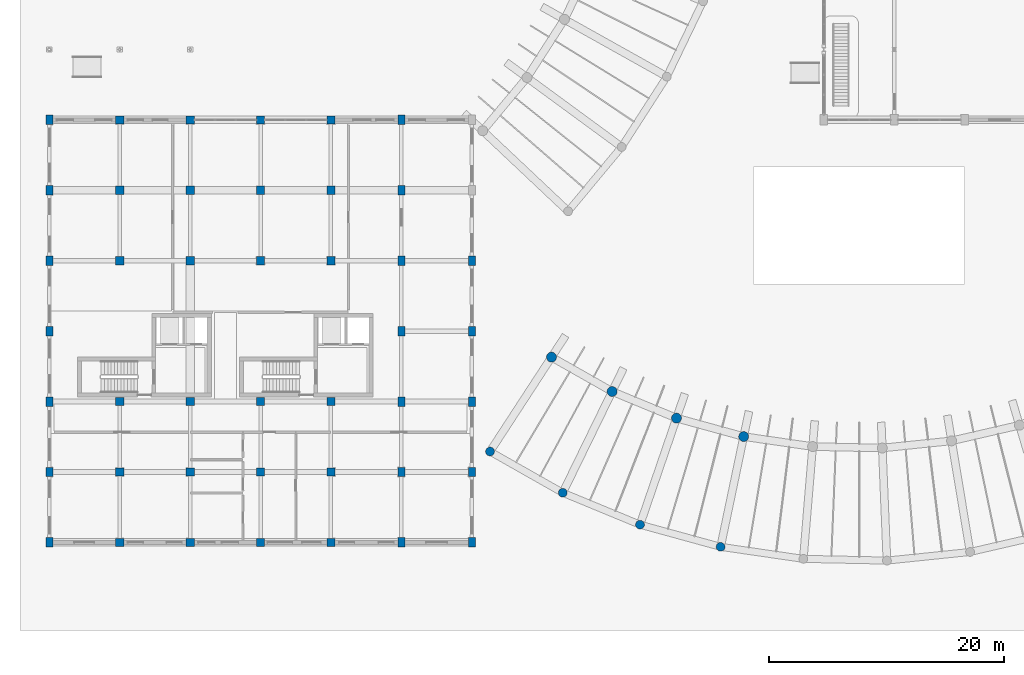
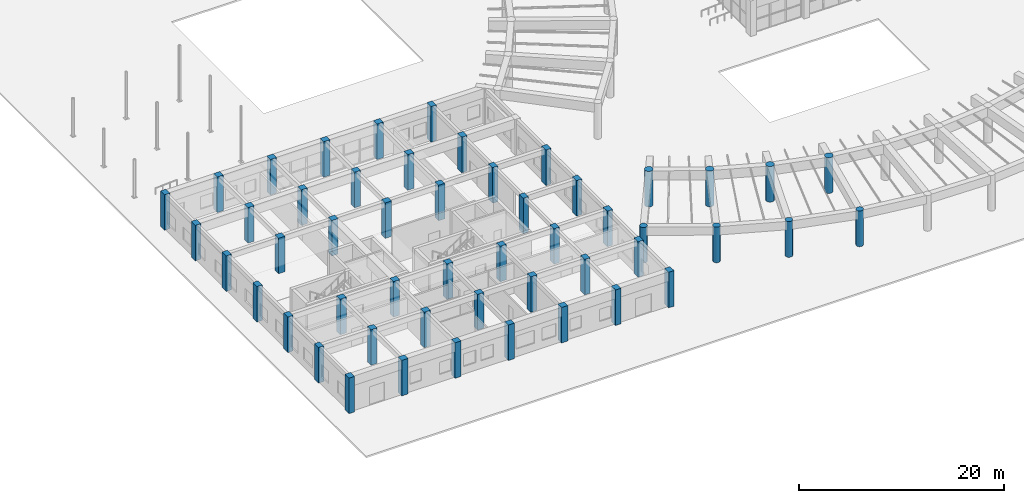
# One storey, part 1 of 76: 51 columns.
"""IFC4 building model written with IfcOpenShell, lengths in metres."""

from ifc_helpers import new_model, si_unit, direction, frame, origin, origin_2d, place, context, subcontext, project, spatial, rectangle, circle, extrude, material, material_profile, profile_set, type_object, element, save


model = new_model("IFC4")

# Units and contexts
model_context = context("Model", 3, precision=1e-05, world=origin(), true_north=direction((0.0, 1.0)))
body_context = subcontext(model_context, "Body", "Model", "MODEL_VIEW")
ifc_project = project(units=[si_unit("LENGTHUNIT", "METRE"), si_unit("AREAUNIT", "SQUARE_METRE"), si_unit("VOLUMEUNIT", "CUBIC_METRE"), si_unit("PLANEANGLEUNIT", "RADIAN"), si_unit("MASSUNIT", "GRAM", prefix="KILO"), si_unit("POWERUNIT", "WATT"), si_unit("THERMODYNAMICTEMPERATUREUNIT", "KELVIN")], contexts=[model_context])

# Site, building, storey
site_placement = place(None, origin())
site = spatial("IfcSite", under=ifc_project, at=site_placement, CompositionType="ELEMENT")
building_placement = place(site_placement, origin())
building = spatial("IfcBuilding", under=site, at=building_placement, Name="Ruvembo Vaulted Housing Court", CompositionType="ELEMENT")
storey_placement = place(building_placement, origin())
storey = spatial("IfcBuildingStorey", under=building, at=storey_placement, Name="L00", CompositionType="ELEMENT", Elevation=0.0)

# Columns
ifc_material = material(Name="Concrete C40/50", Category="concrete")
ifc_material_profile_1 = material_profile(ifc_material, rectangle(XDim=0.60009765625, YDim=0.800048828125, at=origin_2d()), Name="RC 600x800")
ifc_profile_set_1 = profile_set([ifc_material_profile_1], Name="Concrete C40/50")
column_type_1 = type_object("IfcColumnType", Name="COL-RC-600x800", PredefinedType="COLUMN", material=ifc_profile_set_1)
for number, where, z_axis, x_axis, name in (
    (1, (0.0, 6.0, 0.0), (0.0, 0.0, 1.0), (1.0, 0.0, 0.0), "L00 Column (0,6)"),
    (2, (0.0, 12.0, 0.0), (0.0, 0.0, 1.0), (1.0, 0.0, 0.0), "L00 Column (0,12)"),
    (3, (0.0, 18.0, 0.0), (0.0, 0.0, 1.0), (1.0, 0.0, 0.0), "L00 Column (0,18)"),
    (4, (0.0, 24.0, 0.0), (0.0, 0.0, 1.0), (1.0, 0.0, 0.0), "L00 Column (0,24)"),
    (5, (0.0, 30.0, 0.0), (0.0, 0.0, 1.0), (1.0, 0.0, 0.0), "L00 Column (0,30)"),
    (6, (0.0, 36.0, 0.0), (0.0, 0.0, 1.0), (1.0, 0.0, 0.0), "L00 Column (0,36)"),
    (7, (0.0, 42.0, 0.0), (0.0, 0.0, 1.0), (1.0, 0.0, 0.0), "L00 Column (0,42)"),
    (8, (30.0, 6.0, 0.0), (0.0, 0.0, 1.0), (1.0, 0.0, 0.0), "L00 Column (30,6)"),
    (9, (30.0, 12.0, 0.0), (0.0, 0.0, 1.0), (1.0, 0.0, 0.0), "L00 Column (30,12)"),
    (10, (30.0, 18.0, 0.0), (0.0, 0.0, 1.0), (1.0, 0.0, 0.0), "L00 Column (30,18)"),
    (11, (30.0, 24.0, 0.0), (0.0, 0.0, 1.0), (1.0, 0.0, 0.0), "L00 Column (30,24)"),
    (12, (30.0, 30.0, 0.0), (0.0, 0.0, 1.0), (1.0, 0.0, 0.0), "L00 Column (30,30)"),
    (13, (30.0, 36.0, 0.0), (0.0, 0.0, 1.0), (1.0, 0.0, 0.0), "L00 Column (30,36)"),
    (14, (30.0, 42.0, 0.0), (0.0, 0.0, 1.0), (1.0, 0.0, 0.0), "L00 Column (30,42)"),
    (15, (36.0, 6.0, 0.0), (0.0, 0.0, 1.0), (1.0, 0.0, 0.0), "L00 Column (36,6)"),
    (16, (36.0, 12.0, 0.0), (0.0, 0.0, 1.0), (1.0, 0.0, 0.0), "L00 Column (36,12)"),
    (17, (36.0, 18.0, 0.0), (0.0, 0.0, 1.0), (1.0, 0.0, 0.0), "L00 Column (36,18)"),
    (18, (36.0, 24.0, 0.0), (0.0, 0.0, 1.0), (1.0, 0.0, 0.0), "L00 Column (36,24)"),
    (19, (36.0, 30.0, 0.0), (0.0, 0.0, 1.0), (1.0, 0.0, 0.0), "L00 Column (36,30)"),
):
    element("IfcColumn", number, at=place(storey_placement, frame(where, z_axis=z_axis, x_axis=x_axis)), inside=storey, type_object=column_type_1, Name=name, PredefinedType="COLUMN", context=body_context, shape_type="SweptSolid", body=[
        extrude(rectangle(XDim=0.60009765625, YDim=0.800048828125, at=origin_2d()), origin(), (0.0, 0.0, 1.0), 4.22998046875),
    ])
ifc_material_profile_2 = material_profile(ifc_material, rectangle(XDim=0.699951171875, YDim=0.699951171875, at=origin_2d()), Name="RC 700x700")
ifc_profile_set_2 = profile_set([ifc_material_profile_2], Name="Concrete C40/50")
column_type_2 = type_object("IfcColumnType", Name="COL-RC-700", PredefinedType="COLUMN", material=ifc_profile_set_2)
for number, where, z_axis, x_axis, name in (
    (20, (6.0, 6.0, 0.0), (0.0, 0.0, 1.0), (1.0, 0.0, 0.0), "L00 Column (6,6)"),
    (21, (6.0, 12.0, 0.0), (0.0, 0.0, 1.0), (1.0, 0.0, 0.0), "L00 Column (6,12)"),
    (22, (6.0, 18.0, 0.0), (0.0, 0.0, 1.0), (1.0, 0.0, 0.0), "L00 Column (6,18)"),
    (23, (6.0, 30.0, 0.0), (0.0, 0.0, 1.0), (1.0, 0.0, 0.0), "L00 Column (6,30)"),
    (24, (6.0, 36.0, 0.0), (0.0, 0.0, 1.0), (1.0, 0.0, 0.0), "L00 Column (6,36)"),
    (25, (6.0, 42.0, 0.0), (0.0, 0.0, 1.0), (1.0, 0.0, 0.0), "L00 Column (6,42)"),
    (26, (12.0, 6.0, 0.0), (0.0, 0.0, 1.0), (1.0, 0.0, 0.0), "L00 Column (12,6)"),
    (27, (12.0, 12.0, 0.0), (0.0, 0.0, 1.0), (1.0, 0.0, 0.0), "L00 Column (12,12)"),
    (28, (12.0, 18.0, 0.0), (0.0, 0.0, 1.0), (1.0, 0.0, 0.0), "L00 Column (12,18)"),
    (29, (12.0, 30.0, 0.0), (0.0, 0.0, 1.0), (1.0, 0.0, 0.0), "L00 Column (12,30)"),
    (30, (12.0, 36.0, 0.0), (0.0, 0.0, 1.0), (1.0, 0.0, 0.0), "L00 Column (12,36)"),
    (31, (12.0, 42.0, 0.0), (0.0, 0.0, 1.0), (1.0, 0.0, 0.0), "L00 Column (12,42)"),
    (32, (18.0, 6.0, 0.0), (0.0, 0.0, 1.0), (1.0, 0.0, 0.0), "L00 Column (18,6)"),
    (33, (18.0, 12.0, 0.0), (0.0, 0.0, 1.0), (1.0, 0.0, 0.0), "L00 Column (18,12)"),
    (34, (18.0, 18.0, 0.0), (0.0, 0.0, 1.0), (1.0, 0.0, 0.0), "L00 Column (18,18)"),
    (35, (18.0, 30.0, 0.0), (0.0, 0.0, 1.0), (1.0, 0.0, 0.0), "L00 Column (18,30)"),
    (36, (18.0, 36.0, 0.0), (0.0, 0.0, 1.0), (1.0, 0.0, 0.0), "L00 Column (18,36)"),
    (37, (18.0, 42.0, 0.0), (0.0, 0.0, 1.0), (1.0, 0.0, 0.0), "L00 Column (18,42)"),
    (38, (24.0, 6.0, 0.0), (0.0, 0.0, 1.0), (1.0, 0.0, 0.0), "L00 Column (24,6)"),
    (39, (24.0, 12.0, 0.0), (0.0, 0.0, 1.0), (1.0, 0.0, 0.0), "L00 Column (24,12)"),
    (40, (24.0, 18.0, 0.0), (0.0, 0.0, 1.0), (1.0, 0.0, 0.0), "L00 Column (24,18)"),
    (41, (24.0, 30.0, 0.0), (0.0, 0.0, 1.0), (1.0, 0.0, 0.0), "L00 Column (24,30)"),
    (42, (24.0, 36.0, 0.0), (0.0, 0.0, 1.0), (1.0, 0.0, 0.0), "L00 Column (24,36)"),
    (43, (24.0, 42.0, 0.0), (0.0, 0.0, 1.0), (1.0, 0.0, 0.0), "L00 Column (24,42)"),
):
    element("IfcColumn", number, at=place(storey_placement, frame(where, z_axis=z_axis, x_axis=x_axis)), inside=storey, type_object=column_type_2, Name=name, PredefinedType="COLUMN", context=body_context, shape_type="SweptSolid", body=[
        extrude(rectangle(XDim=0.699951171875, YDim=0.699951171875, at=origin_2d()), origin(), (0.0, 0.0, 1.0), 4.22998046875),
    ])
ifc_material_profile_3 = material_profile(ifc_material, circle(Radius=0.375, at=origin_2d()), Name="RC D750")
ifc_profile_set_3 = profile_set([ifc_material_profile_3], Name="Concrete C40/50")
column_type_3 = type_object("IfcColumnType", Name="PILOTIS-D750", PredefinedType="COLUMN", material=ifc_profile_set_3)
for number, where, z_axis, x_axis, name in (
    (44, (37.55224609375, 13.742431640625, 0.0), (0.0, 0.0, 1.0), (1.0, 0.0, 0.0), "L00 Scooped Pier CP-SC2-B01"),
    (45, (43.749755859375, 10.2294921875, 0.0), (0.0, 0.0, 1.0), (1.0, 0.0, 0.0), "L00 Scooped Pier CP-SC2-B02"),
    (46, (50.333740234375, 7.50830078125, 0.0), (0.0, 0.0, 1.0), (1.0, 0.0, 0.0), "L00 Scooped Pier CP-SC2-B03"),
    (47, (57.203125, 5.62109375, 0.0), (0.0, 0.0, 1.0), (1.0, 0.0, 0.0), "L00 Scooped Pier CP-SC2-B04"),
):
    element("IfcColumn", number, at=place(storey_placement, frame(where, z_axis=z_axis, x_axis=x_axis)), inside=storey, type_object=column_type_3, Name=name, PredefinedType="COLUMN", context=body_context, shape_type="SweptSolid", body=[
        extrude(circle(Radius=0.375, at=origin_2d()), origin(), (0.0, 0.0, 1.0), 4.248046875),
    ])
ifc_material_profile_4 = material_profile(ifc_material, circle(Radius=0.425048828125, at=origin_2d()), Name="RC D850")
ifc_profile_set_4 = profile_set([ifc_material_profile_4], Name="Concrete C40/50")
column_type_4 = type_object("IfcColumnType", Name="PILOTIS-D850", PredefinedType="COLUMN", material=ifc_profile_set_4)
for number, where, z_axis, x_axis, name in (
    (48, (42.79345703125, 21.785400390625, 0.0), (0.0, 0.0, 1.0), (1.0, 0.0, 0.0), "L00 Scooped Pier CP-SC2-F01"),
    (49, (47.958251953125, 18.85791015625, 0.0), (0.0, 0.0, 1.0), (1.0, 0.0, 0.0), "L00 Scooped Pier CP-SC2-F02"),
    (50, (53.44482421875, 16.59033203125, 0.0), (0.0, 0.0, 1.0), (1.0, 0.0, 0.0), "L00 Scooped Pier CP-SC2-F03"),
    (51, (59.169189453125, 15.017578125, 0.0), (0.0, 0.0, 1.0), (1.0, 0.0, 0.0), "L00 Scooped Pier CP-SC2-F04"),
):
    element("IfcColumn", number, at=place(storey_placement, frame(where, z_axis=z_axis, x_axis=x_axis)), inside=storey, type_object=column_type_4, Name=name, PredefinedType="COLUMN", context=body_context, shape_type="SweptSolid", body=[
        extrude(circle(Radius=0.425048828125, at=origin_2d()), origin(), (0.0, 0.0, 1.0), 4.248046875),
    ])

save(model, "model.ifc")
